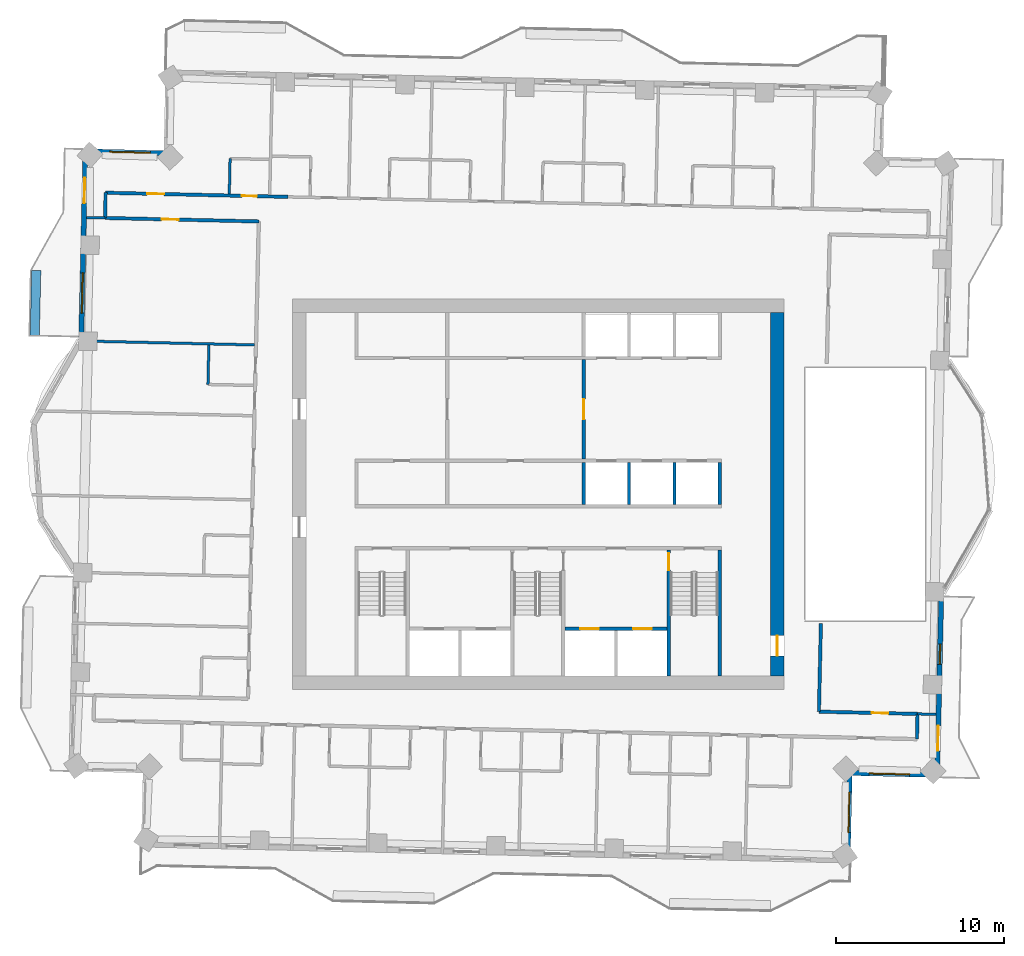
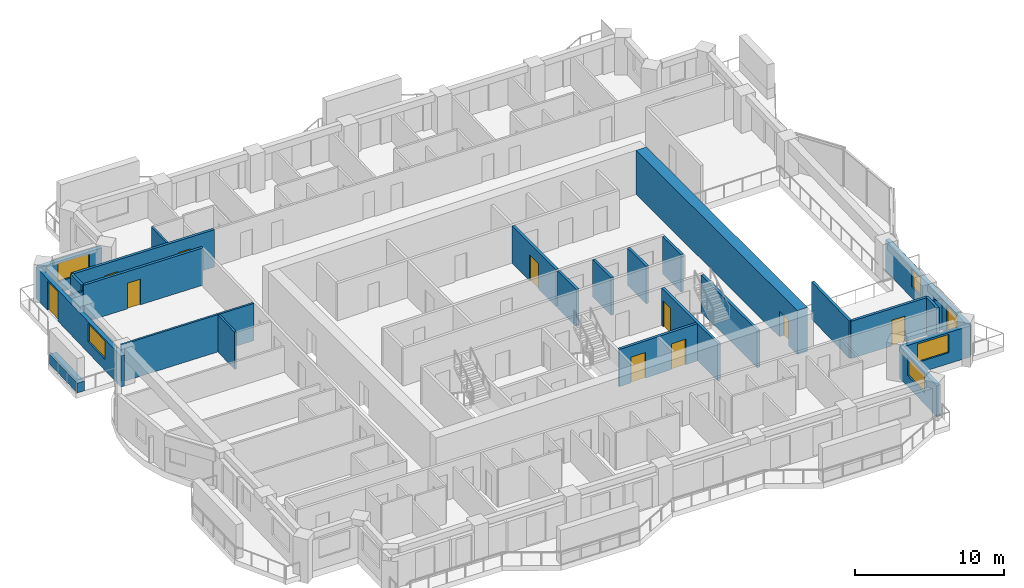
# One storey, part 9 of 16: 26 walls, 11 doors, 5 windows, 16 openings.
"""IFC4 building model written with IfcOpenShell, lengths in metres."""

import ifcopenshell
import ifcopenshell.guid

model = None  # the IFC model being written
_history = None  # IfcOwnerHistory: only IFC2X3 demands one
_inside = {}  # id of a spatial element -> (the spatial element, [elements in it])
_under = {}  # id of a project, library or spatial element -> (it, [spatial elements below it])
_declared = {}  # id of a project -> (the project, [libraries it declares])
_typed = {}  # id of a type object -> (the type object, [elements of that type])
_made_of = {}  # id of a material, layer set ... -> (it, [elements and type objects made of it])


def new_model(schema):
    """Start an empty IFC model of exactly this schema.

    Asked for "IFC4X3", IfcOpenShell would pick the latest addendum, in which some entities
    have other attributes; the version numbers below select the first issue.
    IFC2X3 requires an IfcOwnerHistory on every rooted entity: one is made here for all.
    """
    global model, _history
    if schema == "IFC4X3":
        model = ifcopenshell.file(schema_version=(4, 3, 0, 0))
    else:
        model = ifcopenshell.file(schema=schema)
    _inside.clear()
    _under.clear()
    _declared.clear()
    _typed.clear()
    _made_of.clear()
    _history = None
    if model.schema == "IFC2X3":
        org = make("IfcOrganization", Name="unknown")
        user = make(
            "IfcPersonAndOrganization",
            ThePerson=make("IfcPerson", FamilyName="unknown"),
            TheOrganization=org,
        )
        app = make(
            "IfcApplication",
            ApplicationDeveloper=org,
            Version="unknown",
            ApplicationFullName="unknown",
            ApplicationIdentifier="unknown",
        )
        _history = make(
            "IfcOwnerHistory",
            OwningUser=user,
            OwningApplication=app,
            ChangeAction="ADDED",
            CreationDate=0,
        )
    return model


def make(cls, **values):
    """One entity of the class cls with the attributes given. An attribute that is None is left unset."""
    return model.create_entity(
        cls, **{name: value for name, value in values.items() if value is not None}
    )


def rooted(cls, **values):
    """An entity with a GlobalId (a new one), such as an element, a storey or a relation."""
    return make(cls, GlobalId=ifcopenshell.guid.new(), OwnerHistory=_history, **values)


def si_unit(unit_type, name, prefix=None):
    """IfcSIUnit, for example si_unit("LENGTHUNIT", "METRE", prefix="MILLI")."""
    return make("IfcSIUnit", UnitType=unit_type, Prefix=prefix, Name=name)


def assignment(units):
    """IfcUnitAssignment: the units of a project."""
    return None if units is None else make("IfcUnitAssignment", Units=units)


def point(xyz):
    """IfcCartesianPoint."""
    return None if xyz is None else make("IfcCartesianPoint", Coordinates=xyz)


def direction(xyz):
    """IfcDirection."""
    return None if xyz is None else make("IfcDirection", DirectionRatios=xyz)


def frame(location, z_axis=None, x_axis=None):
    """IfcAxis2Placement3D, a coordinate frame: its origin and axes. An axis left out is left unset."""
    return make(
        "IfcAxis2Placement3D",
        Location=point(location),
        Axis=direction(z_axis),
        RefDirection=direction(x_axis),
    )


def frame_2d(location, x_axis=None):
    """IfcAxis2Placement2D, a coordinate frame in the plane: its origin and x axis."""
    return make(
        "IfcAxis2Placement2D", Location=point(location), RefDirection=direction(x_axis)
    )


def origin():
    """The frame at (0, 0, 0) with its axes left unset."""
    return frame((0.0, 0.0, 0.0))


def place(relative_to, where):
    """IfcLocalPlacement: puts the frame where relative to a parent placement (None: the world)."""
    return make(
        "IfcLocalPlacement", PlacementRelTo=relative_to, RelativePlacement=where
    )


def context(
    kind, dimensions, precision=None, world=None, true_north=None, identifier=None
):
    """IfcGeometricRepresentationContext, for example the 3D "Model" context."""
    return make(
        "IfcGeometricRepresentationContext",
        ContextIdentifier=identifier,
        ContextType=kind,
        CoordinateSpaceDimension=dimensions,
        Precision=precision,
        WorldCoordinateSystem=world,
        TrueNorth=true_north,
    )


def subcontext(parent, identifier, kind, view, scale=None):
    """IfcGeometricRepresentationSubContext, for example "Body" below "Model"."""
    return make(
        "IfcGeometricRepresentationSubContext",
        ContextIdentifier=identifier,
        ContextType=kind,
        ParentContext=parent,
        TargetScale=scale,
        TargetView=view,
    )


def project(units=None, contexts=None):
    """IfcProject with its units and contexts."""
    return rooted(
        "IfcProject",
        Name="project",
        RepresentationContexts=contexts,
        UnitsInContext=assignment(units),
    )


def spatial(cls, under=None, at=None, **own):
    """A site, building, storey or space (cls), placed at a placement, below another one or the project."""
    s = rooted(cls, ObjectPlacement=at, **own)
    if under is not None:
        _under.setdefault(under.id(), (under, []))[1].append(s)
    return s


def profile(cls, at=None, kind="AREA", **sizes):
    """A parametric profile (cls). Its sizes go by their IFC names, for example OverallWidth=200.0."""
    return make(cls, ProfileType=kind, Position=at, **sizes)


def rectangle(**sizes):
    """IfcRectangleProfileDef."""
    return profile("IfcRectangleProfileDef", **sizes)


def extrude(swept, where, along, depth):
    """IfcExtrudedAreaSolid: the profile swept, set in the frame where, extruded along a direction by depth."""
    return make(
        "IfcExtrudedAreaSolid",
        SweptArea=swept,
        Position=where,
        ExtrudedDirection=direction(along),
        Depth=depth,
    )


def shape(context_of_items, identifier, shape_type, items):
    """IfcShapeRepresentation: the items that make up one representation, for example the "Body"."""
    return make(
        "IfcShapeRepresentation",
        ContextOfItems=context_of_items,
        RepresentationIdentifier=identifier,
        RepresentationType=shape_type,
        Items=items,
    )


def material(Name=None, Category=None):
    """IfcMaterial."""
    return make("IfcMaterial", Name=Name, Category=Category)


def layer(
    of_material, thickness, ventilated=None, Name=None, Category=None, Priority=None
):
    """IfcMaterialLayer: one layer of a wall or slab, of a material (None: an air gap)."""
    return make(
        "IfcMaterialLayer",
        Material=of_material,
        LayerThickness=thickness,
        IsVentilated=ventilated,
        Name=Name,
        Category=Category,
        Priority=Priority,
    )


def layer_set(layers, Name=None):
    """IfcMaterialLayerSet."""
    return make("IfcMaterialLayerSet", MaterialLayers=layers, LayerSetName=Name)


def made_of(thing, what):
    """Note that an element or type object is made of a material, layer set ...; save() writes the relation."""
    if what is not None:
        _made_of.setdefault(what.id(), (what, []))[1].append(thing)
    return thing


def type_object(cls, material=None, **own):
    """A type object (cls), such as IfcWallType, which elements share."""
    return made_of(rooted(cls, **own), material)


def element(
    cls,
    number,
    at=None,
    inside=None,
    cuts=None,
    type_object=None,
    material=None,
    context=None,
    identifier="Body",
    shape_type=None,
    held_by="IfcProductDefinitionShape",
    body=None,
    shapes=None,
    **own,
):
    """One element of the class cls, such as IfcWall. Its Tag is "e" and its number.

    at: its placement. inside: the storey or other place that contains it. cuts: it is an
    opening in that element (IfcRelVoidsElement). A single representation is given by context,
    identifier, shape_type and body (its items); several are given by shapes. held_by: the class
    of the entity that holds the representations. save() writes the other relations.
    """
    e = rooted(cls, Tag="e%d" % number, ObjectPlacement=at, **own)
    if body is not None:
        shapes = [shape(context, identifier, shape_type, body)]
    if shapes is not None:
        e.Representation = make(held_by, Representations=shapes)
    if inside is not None:
        _inside.setdefault(inside.id(), (inside, []))[1].append(e)
    if cuts is not None:
        rooted(
            "IfcRelVoidsElement", RelatingBuildingElement=cuts, RelatedOpeningElement=e
        )
    if type_object is not None:
        _typed.setdefault(type_object.id(), (type_object, []))[1].append(e)
    return made_of(e, material)


def fill(opening, filler):
    """IfcRelFillsElement: the door or window that sits in an opening."""
    return rooted(
        "IfcRelFillsElement",
        RelatingOpeningElement=opening,
        RelatedBuildingElement=filler,
    )


def aggregate(whole, parts):
    """IfcRelAggregates: a whole, such as a stair, and the parts it consists of."""
    return rooted("IfcRelAggregates", RelatingObject=whole, RelatedObjects=parts)


def save(model, path):
    """Write the relations noted so far, then the file.

    IfcRelAggregates (storeys below a building ...), IfcRelContainedInSpatialStructure (elements
    in a storey), IfcRelDefinesByType, IfcRelAssociatesMaterial and IfcRelDeclares: one each for
    every whole, place, type object, material and project.
    """
    for whole, parts in _under.values():
        aggregate(whole, parts)
    for where, things in _inside.values():
        rooted(
            "IfcRelContainedInSpatialStructure",
            RelatedElements=things,
            RelatingStructure=where,
        )
    for kind, things in _typed.values():
        rooted("IfcRelDefinesByType", RelatedObjects=things, RelatingType=kind)
    for what, things in _made_of.values():
        rooted("IfcRelAssociatesMaterial", RelatedObjects=things, RelatingMaterial=what)
    for by, libraries in _declared.values():
        rooted("IfcRelDeclares", RelatingContext=by, RelatedDefinitions=libraries)
    model.write(path)


model = new_model("IFC4")

# Units and contexts
model_context = context("Model", 3, precision=1e-05, world=origin(), true_north=direction((0.0, 1.0)))
body_context = subcontext(model_context, "Body", "Model", "MODEL_VIEW")
ifc_project = project(units=[si_unit("LENGTHUNIT", "METRE"), si_unit("AREAUNIT", "SQUARE_METRE"), si_unit("VOLUMEUNIT", "CUBIC_METRE"), si_unit("PLANEANGLEUNIT", "RADIAN"), si_unit("MASSUNIT", "GRAM", prefix="KILO")], contexts=[model_context])

# Site, building, storey
site_placement = place(None, origin())
site = spatial("IfcSite", under=ifc_project, at=site_placement, CompositionType="ELEMENT")
building_placement = place(site_placement, origin())
building = spatial("IfcBuilding", under=site, at=building_placement, Name="Mangrove Gate Tower", CompositionType="ELEMENT")
storey_placement = place(building_placement, frame((0.0, 0.0, 212.300048828125)))
storey = spatial("IfcBuildingStorey", under=building, at=storey_placement, Name="L54", CompositionType="ELEMENT", Elevation=212.300048828125)

# Wall, opening, door
ifc_material_1 = material(Name="Concrete C32/40", Category="concrete")
ifc_layer_1 = layer(ifc_material_1, 0.199951171875)
ifc_layer_set_1 = layer_set([ifc_layer_1], Name="Core lobby wall 200 C32/40")
wall_type_1 = type_object("IfcWallType", Name="Core lobby wall 200 C32/40", PredefinedType="STANDARD", material=ifc_layer_set_1)
wall_1_placement = place(storey_placement, frame((2.699951171875, 2.10009765625, 0.0), z_axis=(0.0, 0.0, 1.0), x_axis=(0.0, 1.0, 0.0)))
wall_1 = element("IfcWall", 1, at=wall_1_placement, inside=storey, type_object=wall_type_1, Name="WALL-L54-CORE-32", PredefinedType="STANDARD", context=body_context, shape_type="SweptSolid", body=[
    extrude(rectangle(XDim=5.89990234375, YDim=0.199951171875, at=frame_2d((2.949951171875, 0.0))), origin(), (0.0, 0.0, 1.0), 3.050048828125),
])
opening_1_placement = place(wall_1_placement, frame((2.35009765625, 0.0, 0.0)))
opening_1 = element("IfcOpeningElement", 2, at=opening_1_placement, cuts=wall_1, Name="Opening FL12", PredefinedType="OPENING", context=body_context, shape_type="SweptSolid", body=[
    extrude(rectangle(XDim=1.199951171875, YDim=2.10009765625, at=frame_2d((0.60009765625, 1.050048828125))), frame((0.0, 0.10986328125, 0.0), z_axis=(0.0, -1.0, 0.0), x_axis=(1.0, 0.0, 0.0)), (0.0, 0.0, 1.0), 0.219970703125),
])
ifc_material_2 = material(Name="Fire-rated steel door set", Category="steel")
door_type_1 = type_object("IfcDoorType", Name="Lobby door FD60 1200x2100", OperationType="SINGLE_SWING_LEFT", PredefinedType="DOOR", material=ifc_material_2)
door_1_placement = place(opening_1_placement, origin())
door_1 = element("IfcDoor", 3, at=door_1_placement, inside=storey, type_object=door_type_1, Name="Lobby door lift lobby partition", OperationType="SINGLE_SWING_LEFT", OverallHeight=2.10009765625, OverallWidth=1.199951171875, PredefinedType="DOOR", context=body_context, shape_type="SweptSolid", body=[
    extrude(rectangle(XDim=1.199951171875, YDim=2.10009765625, at=frame_2d((0.60009765625, 1.050048828125))), frame((0.0, 0.02490234375, 0.0), z_axis=(0.0, -1.0, 0.0), x_axis=(1.0, 0.0, 0.0)), (0.0, 0.0, 1.0), 0.050048828125),
])
fill(opening_1, door_1)

# Wall, openings, doors
ifc_material_3 = material(Name="Concrete C60/75", Category="concrete")
ifc_layer_2 = layer(ifc_material_3, 0.199951171875)
ifc_layer_set_2 = layer_set([ifc_layer_2], Name="Core shaft wall 200 C60/75")
wall_type_2 = type_object("IfcWallType", Name="Core shaft wall 200 C60/75", PredefinedType="SHEAR", material=ifc_layer_set_2)
wall_2_placement = place(storey_placement, frame((1.60009765625, -8.0, 0.0), z_axis=(0.0, 0.0, 1.0), x_axis=(1.0, 0.0, 0.0)))
wall_2 = element("IfcWall", 4, at=wall_2_placement, inside=storey, type_object=wall_type_2, Name="WALL-L54-CORE-17", PredefinedType="SHEAR", context=body_context, shape_type="SweptSolid", body=[
    extrude(rectangle(XDim=6.0498046875, YDim=0.199951171875, at=frame_2d((3.02490234375, 0.0))), origin(), (0.0, 0.0, 1.0), 3.050048828125),
])
opening_2_placement = place(wall_2_placement, frame((0.91259765625, 0.0, 0.0)))
opening_2 = element("IfcOpeningElement", 5, at=opening_2_placement, cuts=wall_2, Name="Opening LD", PredefinedType="OPENING", context=body_context, shape_type="SweptSolid", body=[
    extrude(rectangle(XDim=1.10009765625, YDim=2.10009765625, at=frame_2d((0.550048828125, 1.050048828125))), frame((0.0, 0.10986328125, 0.0), z_axis=(0.0, -1.0, 0.0), x_axis=(1.0, 0.0, 0.0)), (0.0, 0.0, 1.0), 0.219970703125),
])
opening_3_placement = place(wall_2_placement, frame((4.03759765625, 0.0, 0.0)))
opening_3 = element("IfcOpeningElement", 6, at=opening_3_placement, cuts=wall_2, Name="Opening LD", PredefinedType="OPENING", context=body_context, shape_type="SweptSolid", body=[
    extrude(rectangle(XDim=1.10009765625, YDim=2.10009765625, at=frame_2d((0.550048828125, 1.050048828125))), frame((0.0, 0.10986328125, 0.0), z_axis=(0.0, -1.0, 0.0), x_axis=(1.0, 0.0, 0.0)), (0.0, 0.0, 1.0), 0.219970703125),
])
ifc_material_4 = material(Name="Stainless steel 316", Category="steel")
door_type_2 = type_object("IfcDoorType", Name="Lift landing door 1100x2100", OperationType="SLIDING_TO_LEFT", PredefinedType="DOOR", material=ifc_material_4)
door_2_placement = place(opening_2_placement, origin())
door_2 = element("IfcDoor", 7, at=door_2_placement, inside=storey, type_object=door_type_2, Name="Landing door LD FFL1", OperationType="SLIDING_TO_LEFT", OverallHeight=2.10009765625, OverallWidth=1.10009765625, PredefinedType="DOOR", context=body_context, shape_type="SweptSolid", body=[
    extrude(rectangle(XDim=1.10009765625, YDim=2.10009765625, at=frame_2d((0.550048828125, 1.050048828125))), frame((0.0, 0.02490234375, 0.0), z_axis=(0.0, -1.0, 0.0), x_axis=(1.0, 0.0, 0.0)), (0.0, 0.0, 1.0), 0.050048828125),
])
fill(opening_2, door_2)
door_3_placement = place(opening_3_placement, origin())
door_3 = element("IfcDoor", 8, at=door_3_placement, inside=storey, type_object=door_type_2, Name="Landing door LD FFL2", OperationType="SLIDING_TO_LEFT", OverallHeight=2.10009765625, OverallWidth=1.10009765625, PredefinedType="DOOR", context=body_context, shape_type="SweptSolid", body=[
    extrude(rectangle(XDim=1.10009765625, YDim=2.10009765625, at=frame_2d((0.550048828125, 1.050048828125))), frame((0.0, 0.02490234375, 0.0), z_axis=(0.0, -1.0, 0.0), x_axis=(1.0, 0.0, 0.0)), (0.0, 0.0, 1.0), 0.050048828125),
])
fill(opening_3, door_3)

# Walls
for number, where, z_axis, x_axis, name in (
    (9, (2.699951171875, -0.60009765625, 0.0), (0.0, 0.0, 1.0), (0.0, 1.0, 0.0), "WALL-L54-CORE-21"),
    (10, (5.39990234375, -0.60009765625, 0.0), (0.0, 0.0, 1.0), (0.0, 1.0, 0.0), "WALL-L54-CORE-22"),
    (11, (8.10009765625, -0.60009765625, 0.0), (0.0, 0.0, 1.0), (0.0, 1.0, 0.0), "WALL-L54-CORE-23"),
    (12, (10.800048828125, -0.60009765625, 0.0), (0.0, 0.0, 1.0), (0.0, 1.0, 0.0), "WALL-L54-CORE-24"),
):
    element("IfcWall", number, at=place(storey_placement, frame(where, z_axis=z_axis, x_axis=x_axis)), inside=storey, type_object=wall_type_2, Name=name, PredefinedType="SHEAR", context=body_context, shape_type="SweptSolid", body=[
        extrude(rectangle(XDim=2.5, YDim=0.199951171875, at=frame_2d((1.25, 0.0))), origin(), (0.0, 0.0, 1.0), 3.050048828125),
    ])

# Wall, opening, door
ifc_material_5 = material(Name="Concrete C60/75", Category="concrete")
ifc_layer_3 = layer(ifc_material_5, 0.199951171875)
ifc_layer_set_3 = layer_set([ifc_layer_3], Name="Core stair wall 200 C60/75")
wall_type_3 = type_object("IfcWallType", Name="Core stair wall 200 C60/75", PredefinedType="SHEAR", material=ifc_layer_set_3)
wall_3_placement = place(storey_placement, frame((7.75, -10.800048828125, 0.0), z_axis=(0.0, 0.0, 1.0), x_axis=(0.0, 1.0, 0.0)))
wall_3 = element("IfcWall", 13, at=wall_3_placement, inside=storey, type_object=wall_type_3, Name="WALL-L54-CORE-13", PredefinedType="SHEAR", context=body_context, shape_type="SweptSolid", body=[
    extrude(rectangle(XDim=7.5, YDim=0.199951171875, at=frame_2d((3.75, 0.0))), origin(), (0.0, 0.0, 1.0), 3.050048828125),
])
opening_4_placement = place(wall_3_placement, frame((6.300048828125, 0.0, 0.0)))
opening_4 = element("IfcOpeningElement", 14, at=opening_4_placement, cuts=wall_3, Name="Opening STD10", PredefinedType="OPENING", context=body_context, shape_type="SweptSolid", body=[
    extrude(rectangle(XDim=1.0, YDim=2.10009765625, at=frame_2d((0.5, 1.050048828125))), frame((0.0, 0.10986328125, 0.0), z_axis=(0.0, -1.0, 0.0), x_axis=(1.0, 0.0, 0.0)), (0.0, 0.0, 1.0), 0.219970703125),
])
ifc_material_6 = material(Name="Fire-rated steel door set", Category="steel")
door_type_3 = type_object("IfcDoorType", Name="Stair door FD60 1000x2100", OperationType="SINGLE_SWING_RIGHT", PredefinedType="DOOR", material=ifc_material_6)
door_4_placement = place(opening_4_placement, origin())
door_4 = element("IfcDoor", 15, at=door_4_placement, inside=storey, type_object=door_type_3, Name="Stair door Stair 3 from fire-fighting lobby", OperationType="SINGLE_SWING_RIGHT", OverallHeight=2.10009765625, OverallWidth=1.0, PredefinedType="DOOR", context=body_context, shape_type="SweptSolid", body=[
    extrude(rectangle(XDim=1.0, YDim=2.10009765625, at=frame_2d((0.5, 1.050048828125))), frame((0.0, 0.02490234375, 0.0), z_axis=(0.0, -1.0, 0.0), x_axis=(1.0, 0.0, 0.0)), (0.0, 0.0, 1.0), 0.050048828125),
])
fill(opening_4, door_4)

# Wall
wall_4_placement = place(storey_placement, frame((10.800048828125, -10.800048828125, 0.0), z_axis=(0.0, 0.0, 1.0), x_axis=(0.0, 1.0, 0.0)))
element("IfcWall", 16, at=wall_4_placement, inside=storey, type_object=wall_type_3, Name="WALL-L54-CORE-14", PredefinedType="SHEAR", context=body_context, shape_type="SweptSolid", body=[
    extrude(rectangle(XDim=7.5, YDim=0.199951171875, at=frame_2d((3.75, 0.0))), origin(), (0.0, 0.0, 1.0), 3.050048828125),
])

# Wall, opening, door
ifc_material_7 = material(Name="Concrete C60/75", Category="concrete")
ifc_layer_4 = layer(ifc_material_7, 0.800048828125)
ifc_layer_set_4 = layer_set([ifc_layer_4], Name="Core wall 800 C60/75")
wall_type_4 = type_object("IfcWallType", Name="Core wall 800 C60/75", PredefinedType="SHEAR", material=ifc_layer_set_4)
wall_5_placement = place(storey_placement, frame((14.199951171875, -10.800048828125, 0.0), z_axis=(0.0, 0.0, 1.0), x_axis=(0.0, 1.0, 0.0)))
wall_5 = element("IfcWall", 17, at=wall_5_placement, inside=storey, type_object=wall_type_4, Name="WALL-L54-CORE-4", PredefinedType="SHEAR", context=body_context, shape_type="SweptSolid", body=[
    extrude(rectangle(XDim=21.60009765625, YDim=0.800048828125, at=frame_2d((10.800048828125, 0.0))), origin(), (0.0, 0.0, 1.0), 3.599853515625),
])
opening_5_placement = place(wall_5_placement, frame((1.199951171875, 0.0, 0.0)))
opening_5 = element("IfcOpeningElement", 18, at=opening_5_placement, cuts=wall_5, Name="Opening CD", PredefinedType="OPENING", context=body_context, shape_type="SweptSolid", body=[
    extrude(rectangle(XDim=1.199951171875, YDim=2.10009765625, at=frame_2d((0.60009765625, 1.050048828125))), frame((0.0, 0.409912109375, 0.0), z_axis=(0.0, -1.0, 0.0), x_axis=(1.0, 0.0, 0.0)), (0.0, 0.0, 1.0), 0.820068359375),
])
ifc_material_8 = material(Name="Fire-rated steel door set", Category="steel")
door_type_4 = type_object("IfcDoorType", Name="Core ring door FD60 1200x2100", OperationType="DOUBLE_DOOR_SINGLE_SWING", PredefinedType="DOOR", material=ifc_material_8)
door_5_placement = place(opening_5_placement, origin())
door_5 = element("IfcDoor", 19, at=door_5_placement, inside=storey, type_object=door_type_4, Name="Core ring door E1", OperationType="DOUBLE_DOOR_SINGLE_SWING", OverallHeight=2.10009765625, OverallWidth=1.199951171875, PredefinedType="DOOR", context=body_context, shape_type="SweptSolid", body=[
    extrude(rectangle(XDim=1.199951171875, YDim=2.10009765625, at=frame_2d((0.60009765625, 1.050048828125))), frame((0.0, 0.02490234375, 0.0), z_axis=(0.0, -1.0, 0.0), x_axis=(1.0, 0.0, 0.0)), (0.0, 0.0, 1.0), 0.050048828125),
])
fill(opening_5, door_5)

# Wall
ifc_material_9 = material(Name="Gypsum board on steel stud, EI 60", Category="steel")
ifc_layer_5 = layer(ifc_material_9, 0.199951171875)
ifc_layer_set_5 = layer_set([ifc_layer_5], Name="Corridor wall EI 60")
wall_type_5 = type_object("IfcWallType", Name="Corridor wall EI 60", PredefinedType="PARTITIONING", material=ifc_layer_set_5)
wall_6_placement = place(storey_placement, frame((22.509033203125, -14.551025390625, 0.0), z_axis=(0.0, 0.0, 1.0), x_axis=(0.022632637625, 0.99974384905, 0.0)))
element("IfcWall", 20, at=wall_6_placement, inside=storey, type_object=wall_type_5, Name="WALL-L54-026", PredefinedType="PARTITIONING", context=body_context, shape_type="SweptSolid", body=[
    extrude(rectangle(XDim=1.49951171875, YDim=0.199951171875, at=frame_2d((0.749755859375, 0.0))), origin(), (0.0, 0.0, 1.0), 3.050048828125),
])

# Wall, opening, door
wall_7_placement = place(storey_placement, frame((16.678955078125, -12.91796875, 0.0), z_axis=(0.0, 0.0, 1.0), x_axis=(0.999739057042, -0.022843332181, 0.0)))
wall_7 = element("IfcWall", 21, at=wall_7_placement, inside=storey, type_object=wall_type_5, Name="WALL-L54-031", PredefinedType="PARTITIONING", context=body_context, shape_type="SweptSolid", body=[
    extrude(rectangle(XDim=5.867431640625, YDim=0.199951171875, at=frame_2d((2.93359375, 0.0))), origin(), (0.0, 0.0, 1.0), 3.050048828125),
])
opening_6_placement = place(wall_7_placement, frame((3.134033203125, 0.0, 0.0)))
opening_6 = element("IfcOpeningElement", 22, at=opening_6_placement, cuts=wall_7, Name="Opening AD", PredefinedType="OPENING", context=body_context, shape_type="SweptSolid", body=[
    extrude(rectangle(XDim=1.0, YDim=2.10009765625, at=frame_2d((0.5, 1.050048828125))), frame((0.0, 0.10986328125, 0.0), z_axis=(0.0, -1.0, 0.0), x_axis=(1.0, 0.0, 0.0)), (0.0, 0.0, 1.0), 0.219970703125),
])
ifc_material_10 = material(Name="Timber door leaf", Category="wood")
door_type_5 = type_object("IfcDoorType", Name="Amenity door 1000", OperationType="SINGLE_SWING_LEFT", PredefinedType="DOOR", material=ifc_material_10)
door_6_placement = place(opening_6_placement, origin())
door_6 = element("IfcDoor", 23, at=door_6_placement, inside=storey, type_object=door_type_5, Name="DOOR-L54-LNG-c3a", OperationType="SINGLE_SWING_LEFT", OverallHeight=2.10009765625, OverallWidth=1.0, PredefinedType="DOOR", context=body_context, shape_type="SweptSolid", body=[
    extrude(rectangle(XDim=1.0, YDim=2.10009765625, at=frame_2d((0.5, 1.050048828125))), frame((0.0, 0.02490234375, 0.0), z_axis=(0.0, -1.0, 0.0), x_axis=(1.0, 0.0, 0.0)), (0.0, 0.0, 1.0), 0.050048828125),
])
fill(opening_6, door_6)

# Wall
wall_8_placement = place(storey_placement, frame((16.68408203125, -12.9189453125, 0.0), z_axis=(0.0, 0.0, 1.0), x_axis=(0.022667483124, 0.999743059595, 0.0)))
element("IfcWall", 24, at=wall_8_placement, inside=storey, type_object=wall_type_5, Name="WALL-L54-032", PredefinedType="PARTITIONING", context=body_context, shape_type="SweptSolid", body=[
    extrude(rectangle(XDim=5.245361328125, YDim=0.199951171875, at=frame_2d((2.62255859375, 0.0))), origin(), (0.0, 0.0, 1.0), 3.050048828125),
])

# Wall, opening, door
wall_9_placement = place(storey_placement, frame((-25.742919921875, 16.422119140625, 0.0), z_axis=(0.0, 0.0, 1.0), x_axis=(0.999741076645, -0.022754772455, 0.0)))
wall_9 = element("IfcWall", 25, at=wall_9_placement, inside=storey, type_object=wall_type_5, Name="WALL-L54-046", PredefinedType="PARTITIONING", context=body_context, shape_type="SweptSolid", body=[
    extrude(rectangle(XDim=9.141357421875, YDim=0.199951171875, at=frame_2d((4.57080078125, 0.0))), origin(), (0.0, 0.0, 1.0), 3.050048828125),
])
opening_7_placement = place(wall_9_placement, frame((3.37109375, 0.0, 0.0)))
opening_7 = element("IfcOpeningElement", 26, at=opening_7_placement, cuts=wall_9, Name="Opening AD", PredefinedType="OPENING", context=body_context, shape_type="SweptSolid", body=[
    extrude(rectangle(XDim=1.0, YDim=2.10009765625, at=frame_2d((0.5, 1.050048828125))), frame((0.0, 0.10986328125, 0.0), z_axis=(0.0, -1.0, 0.0), x_axis=(1.0, 0.0, 0.0)), (0.0, 0.0, 1.0), 0.219970703125),
])
door_7_placement = place(opening_7_placement, origin())
door_7 = element("IfcDoor", 27, at=door_7_placement, inside=storey, type_object=door_type_5, Name="DOOR-L54-LNG-c5b", OperationType="SINGLE_SWING_LEFT", OverallHeight=2.10009765625, OverallWidth=1.0, PredefinedType="DOOR", context=body_context, shape_type="SweptSolid", body=[
    extrude(rectangle(XDim=1.0, YDim=2.10009765625, at=frame_2d((0.5, 1.050048828125))), frame((0.0, 0.02490234375, 0.0), z_axis=(0.0, -1.0, 0.0), x_axis=(1.0, 0.0, 0.0)), (0.0, 0.0, 1.0), 0.050048828125),
])
fill(opening_7, door_7)

# Wall
wall_10_placement = place(storey_placement, frame((-25.740966796875, 16.425048828125, 0.0), z_axis=(0.0, 0.0, 1.0), x_axis=(0.022617910375, 0.999744182344, 0.0)))
element("IfcWall", 28, at=wall_10_placement, inside=storey, type_object=wall_type_5, Name="WALL-L54-049", PredefinedType="PARTITIONING", context=body_context, shape_type="SweptSolid", body=[
    extrude(rectangle(XDim=1.50048828125, YDim=0.199951171875, at=frame_2d((0.750244140625, 0.0))), origin(), (0.0, 0.0, 1.0), 3.050048828125),
])

# Wall, openings, doors
wall_11_placement = place(storey_placement, frame((-25.708984375, 17.9208984375, 0.0), z_axis=(0.0, 0.0, 1.0), x_axis=(0.999742764922, -0.022680475901, 0.0)))
wall_11 = element("IfcWall", 29, at=wall_11_placement, inside=storey, type_object=wall_type_5, Name="WALL-L54-051", PredefinedType="PARTITIONING", context=body_context, shape_type="SweptSolid", body=[
    extrude(rectangle(XDim=10.839599609375, YDim=0.199951171875, at=frame_2d((5.419921875, 0.0))), origin(), (0.0, 0.0, 1.0), 3.050048828125),
])
opening_8_placement = place(wall_11_placement, frame((2.47509765625, 0.0, 0.0)))
opening_8 = element("IfcOpeningElement", 30, at=opening_8_placement, cuts=wall_11, Name="Opening AD", PredefinedType="OPENING", context=body_context, shape_type="SweptSolid", body=[
    extrude(rectangle(XDim=1.0, YDim=2.10009765625, at=frame_2d((0.5, 1.050048828125))), frame((0.0, 0.10986328125, 0.0), z_axis=(0.0, -1.0, 0.0), x_axis=(1.0, 0.0, 0.0)), (0.0, 0.0, 1.0), 0.219970703125),
])
opening_9_placement = place(wall_11_placement, frame((8.10009765625, 0.0, 0.0)))
opening_9 = element("IfcOpeningElement", 31, at=opening_9_placement, cuts=wall_11, Name="Opening SD", PredefinedType="OPENING", context=body_context, shape_type="SweptSolid", body=[
    extrude(rectangle(XDim=0.89990234375, YDim=2.10009765625, at=frame_2d((0.449951171875, 1.050048828125))), frame((0.0, 0.10986328125, 0.0), z_axis=(0.0, -1.0, 0.0), x_axis=(1.0, 0.0, 0.0)), (0.0, 0.0, 1.0), 0.219970703125),
])
door_8_placement = place(opening_8_placement, origin())
door_8 = element("IfcDoor", 32, at=door_8_placement, inside=storey, type_object=door_type_5, Name="DOOR-L54-LNG-c5a", OperationType="SINGLE_SWING_RIGHT", OverallHeight=2.10009765625, OverallWidth=1.0, PredefinedType="DOOR", context=body_context, shape_type="SweptSolid", body=[
    extrude(rectangle(XDim=1.0, YDim=2.10009765625, at=frame_2d((0.5, 1.050048828125))), frame((0.0, 0.02490234375, 0.0), z_axis=(0.0, -1.0, 0.0), x_axis=(1.0, 0.0, 0.0)), (0.0, 0.0, 1.0), 0.050048828125),
])
fill(opening_8, door_8)
ifc_material_11 = material(Name="Timber door leaf", Category="wood")
door_type_6 = type_object("IfcDoorType", Name="Service room door 900", OperationType="SINGLE_SWING_LEFT", PredefinedType="DOOR", material=ifc_material_11)
door_9_placement = place(opening_9_placement, origin())
door_9 = element("IfcDoor", 33, at=door_9_placement, inside=storey, type_object=door_type_6, Name="DOOR-L54-LIN-c5a", OperationType="SINGLE_SWING_LEFT", OverallHeight=2.10009765625, OverallWidth=0.89990234375, PredefinedType="DOOR", context=body_context, shape_type="SweptSolid", body=[
    extrude(rectangle(XDim=0.89990234375, YDim=2.10009765625, at=frame_2d((0.449951171875, 1.050048828125))), frame((0.0, 0.02490234375, 0.0), z_axis=(0.0, -1.0, 0.0), x_axis=(1.0, 0.0, 0.0)), (0.0, 0.0, 1.0), 0.050048828125),
])
fill(opening_9, door_9)

# Wall, openings, door, window
ifc_material_12 = material(Name="Limestone", Category="masonry")
ifc_layer_6 = layer(ifc_material_12, 0.0400390625, Name="Limestone cladding")
ifc_material_13 = material(Name="Ventilated air gap")
ifc_layer_7 = layer(ifc_material_13, 0.0400390625, Name="Ventilated cavity")
ifc_material_14 = material(Name="Mineral wool insulation")
ifc_layer_8 = layer(ifc_material_14, 0.06005859375, Name="Insulation")
ifc_material_15 = material(Name="Breather membrane")
ifc_layer_9 = layer(ifc_material_15, 0.001953125, Name="Breather membrane")
ifc_material_16 = material(Name="Concrete C20/25 blockwork", Category="masonry")
ifc_layer_10 = layer(ifc_material_16, 0.14990234375, Name="Blockwork backing wall")
ifc_material_17 = material(Name="Gypsum plaster")
ifc_layer_11 = layer(ifc_material_17, 0.008056640625, Name="Internal plaster")
ifc_layer_set_6 = layer_set([ifc_layer_6, ifc_layer_7, ifc_layer_8, ifc_layer_9, ifc_layer_10, ifc_layer_11], Name="External wall 300 limestone cladding")
wall_type_6 = type_object("IfcWallType", Name="External wall 300 limestone cladding", PredefinedType="SOLIDWALL", material=ifc_layer_set_6)
wall_12_placement = place(storey_placement, frame((23.712890625, -16.678955078125, 0.0), z_axis=(0.0, 0.0, 1.0), x_axis=(0.022674801414, 0.999742893639, 0.0)))
wall_12 = element("IfcWall", 34, at=wall_12_placement, inside=storey, type_object=wall_type_6, Name="WALL-L54-E0s1", PredefinedType="SOLIDWALL", context=body_context, shape_type="SweptSolid", body=[
    extrude(rectangle(XDim=11.423828125, YDim=0.300048828125, at=frame_2d((5.7119140625, 0.0))), origin(), (0.0, 0.0, 1.0), 2.550048828125),
])
opening_10_placement = place(wall_12_placement, frame((1.427978515625, 0.0, 0.0)))
opening_10 = element("IfcOpeningElement", 35, at=opening_10_placement, cuts=wall_12, Name="Opening BD1", PredefinedType="OPENING", context=body_context, shape_type="SweptSolid", body=[
    extrude(rectangle(XDim=1.5, YDim=2.39990234375, at=frame_2d((0.75, 1.199951171875))), frame((0.0, 0.159912109375, 0.0), z_axis=(0.0, -1.0, 0.0), x_axis=(1.0, 0.0, 0.0)), (0.0, 0.0, 1.0), 0.320068359375),
])
opening_11_placement = place(wall_12_placement, frame((6.576904296875, 0.0, 0.89990234375)))
opening_11 = element("IfcOpeningElement", 36, at=opening_11_placement, cuts=wall_12, Name="Opening W1", PredefinedType="OPENING", context=body_context, shape_type="SweptSolid", body=[
    extrude(rectangle(XDim=1.199951171875, YDim=1.5, at=frame_2d((0.60009765625, 0.75))), frame((0.0, 0.159912109375, 0.0), z_axis=(0.0, -1.0, 0.0), x_axis=(1.0, 0.0, 0.0)), (0.0, 0.0, 1.0), 0.320068359375),
])
ifc_material_18 = material(Name="Aluminium frame with laminated clear glass", Category="aluminium")
door_type_7 = type_object("IfcDoorType", Name="Balcony sliding door 1500x2400", OperationType="SLIDING_TO_LEFT", PredefinedType="DOOR", material=ifc_material_18)
door_10_placement = place(opening_10_placement, origin())
door_10 = element("IfcDoor", 37, at=door_10_placement, inside=storey, type_object=door_type_7, Name="DOOR-L54-E0-1", OperationType="SLIDING_TO_LEFT", OverallHeight=2.39990234375, OverallWidth=1.5, PredefinedType="DOOR", context=body_context, shape_type="SweptSolid", body=[
    extrude(rectangle(XDim=1.5, YDim=2.39990234375, at=frame_2d((0.75, 1.199951171875))), frame((0.0, 0.02490234375, 0.0), z_axis=(0.0, -1.0, 0.0), x_axis=(1.0, 0.0, 0.0)), (0.0, 0.0, 1.0), 0.050048828125),
])
fill(opening_10, door_10)
ifc_material_19 = material(Name="Aluminium frame with double-glazed low-e glass", Category="aluminium")
window_type_1 = type_object("IfcWindowType", Name="Side lite 1200x1500", PartitioningType="SINGLE_PANEL", PredefinedType="WINDOW", material=ifc_material_19)
window_1_placement = place(opening_11_placement, origin())
window_1 = element("IfcWindow", 38, at=window_1_placement, inside=storey, type_object=window_type_1, Name="WIN-L54-E0-2", OverallHeight=1.5, OverallWidth=1.199951171875, PartitioningType="SINGLE_PANEL", PredefinedType="WINDOW", context=body_context, shape_type="SweptSolid", body=[
    extrude(rectangle(XDim=1.199951171875, YDim=1.5, at=frame_2d((0.60009765625, 0.75))), frame((0.0, 0.030029296875, 0.0), z_axis=(0.0, -1.0, 0.0), x_axis=(1.0, 0.0, 0.0)), (0.0, 0.0, 1.0), 0.06005859375),
])
fill(opening_11, window_1)

# Wall, opening, window
wall_13_placement = place(storey_placement, frame((-22.10498046875, 20.27001953125, 0.0), z_axis=(0.0, 0.0, 1.0), x_axis=(-0.999742701292, 0.022683280499, 0.0)))
wall_13 = element("IfcWall", 39, at=wall_13_placement, inside=storey, type_object=wall_type_6, Name="WALL-L54-N7", PredefinedType="SOLIDWALL", context=body_context, shape_type="SweptSolid", body=[
    extrude(rectangle(XDim=4.80029296875, YDim=0.300048828125, at=frame_2d((2.400146484375, 0.0))), origin(), (0.0, 0.0, 1.0), 2.550048828125),
])
opening_12_placement = place(wall_13_placement, frame((0.946044921875, 0.0, 0.89990234375)))
opening_12 = element("IfcOpeningElement", 40, at=opening_12_placement, cuts=wall_13, Name="Opening W2", PredefinedType="OPENING", context=body_context, shape_type="SweptSolid", body=[
    extrude(rectangle(XDim=2.39990234375, YDim=1.5, at=frame_2d((1.199951171875, 0.75))), frame((0.0, 0.159912109375, 0.0), z_axis=(0.0, -1.0, 0.0), x_axis=(1.0, 0.0, 0.0)), (0.0, 0.0, 1.0), 0.320068359375),
])
ifc_material_20 = material(Name="Aluminium frame with double-glazed low-e glass", Category="aluminium")
window_type_2 = type_object("IfcWindowType", Name="Corner room window 2400x1500", PartitioningType="DOUBLE_PANEL_VERTICAL", PredefinedType="WINDOW", material=ifc_material_20)
window_2_placement = place(opening_12_placement, origin())
window_2 = element("IfcWindow", 41, at=window_2_placement, inside=storey, type_object=window_type_2, Name="WIN-L54-N7-1", OverallHeight=1.5, OverallWidth=2.39990234375, PartitioningType="DOUBLE_PANEL_VERTICAL", PredefinedType="WINDOW", context=body_context, shape_type="SweptSolid", body=[
    extrude(rectangle(XDim=2.39990234375, YDim=1.5, at=frame_2d((1.199951171875, 0.75))), frame((0.0, 0.030029296875, 0.0), z_axis=(0.0, -1.0, 0.0), x_axis=(1.0, 0.0, 0.0)), (0.0, 0.0, 1.0), 0.06005859375),
])
fill(opening_12, window_2)

# Wall, openings, door, window
wall_14_placement = place(storey_placement, frame((-26.904052734375, 20.37890625, 0.0), z_axis=(0.0, 0.0, 1.0), x_axis=(-0.022671687694, -0.999742964255, 0.0)))
wall_14 = element("IfcWall", 42, at=wall_14_placement, inside=storey, type_object=wall_type_6, Name="WALL-L54-W8s1", PredefinedType="SOLIDWALL", context=body_context, shape_type="SweptSolid", body=[
    extrude(rectangle(XDim=11.82373046875, YDim=0.300048828125, at=frame_2d((5.911865234375, 0.0))), origin(), (0.0, 0.0, 1.0), 2.550048828125),
])
opening_13_placement = place(wall_14_placement, frame((1.577880859375, 0.0, 0.0)))
opening_13 = element("IfcOpeningElement", 43, at=opening_13_placement, cuts=wall_14, Name="Opening BD1", PredefinedType="OPENING", context=body_context, shape_type="SweptSolid", body=[
    extrude(rectangle(XDim=1.5, YDim=2.39990234375, at=frame_2d((0.75, 1.199951171875))), frame((0.0, 0.159912109375, 0.0), z_axis=(0.0, -1.0, 0.0), x_axis=(1.0, 0.0, 0.0)), (0.0, 0.0, 1.0), 0.320068359375),
])
opening_14_placement = place(wall_14_placement, frame((7.218017578125, 0.0, 0.89990234375)))
opening_14 = element("IfcOpeningElement", 44, at=opening_14_placement, cuts=wall_14, Name="Opening W2", PredefinedType="OPENING", context=body_context, shape_type="SweptSolid", body=[
    extrude(rectangle(XDim=2.39990234375, YDim=1.5, at=frame_2d((1.199951171875, 0.75))), frame((0.0, 0.159912109375, 0.0), z_axis=(0.0, -1.0, 0.0), x_axis=(1.0, 0.0, 0.0)), (0.0, 0.0, 1.0), 0.320068359375),
])
door_11_placement = place(opening_13_placement, origin())
door_11 = element("IfcDoor", 45, at=door_11_placement, inside=storey, type_object=door_type_7, Name="DOOR-L54-W8-1", OperationType="SLIDING_TO_LEFT", OverallHeight=2.39990234375, OverallWidth=1.5, PredefinedType="DOOR", context=body_context, shape_type="SweptSolid", body=[
    extrude(rectangle(XDim=1.5, YDim=2.39990234375, at=frame_2d((0.75, 1.199951171875))), frame((0.0, 0.02490234375, 0.0), z_axis=(0.0, -1.0, 0.0), x_axis=(1.0, 0.0, 0.0)), (0.0, 0.0, 1.0), 0.050048828125),
])
fill(opening_13, door_11)
window_3_placement = place(opening_14_placement, origin())
window_3 = element("IfcWindow", 46, at=window_3_placement, inside=storey, type_object=window_type_2, Name="WIN-L54-W8-2", OverallHeight=1.5, OverallWidth=2.39990234375, PartitioningType="DOUBLE_PANEL_VERTICAL", PredefinedType="WINDOW", context=body_context, shape_type="SweptSolid", body=[
    extrude(rectangle(XDim=2.39990234375, YDim=1.5, at=frame_2d((1.199951171875, 0.75))), frame((0.0, 0.030029296875, 0.0), z_axis=(0.0, -1.0, 0.0), x_axis=(1.0, 0.0, 0.0)), (0.0, 0.0, 1.0), 0.06005859375),
])
fill(opening_14, window_3)

# Wall, opening, window
wall_15_placement = place(storey_placement, frame((18.39599609375, -21.760009765625, 0.0), z_axis=(0.0, 0.0, 1.0), x_axis=(0.022675548694, 0.99974287669, 0.0)))
wall_15 = element("IfcWall", 47, at=wall_15_placement, inside=storey, type_object=wall_type_6, Name="WALL-L54-E14", PredefinedType="SOLIDWALL", context=body_context, shape_type="SweptSolid", body=[
    extrude(rectangle(XDim=5.2001953125, YDim=0.300048828125, at=frame_2d((2.60009765625, 0.0))), origin(), (0.0, 0.0, 1.0), 2.550048828125),
])
opening_15_placement = place(wall_15_placement, frame((1.660888671875, 0.0, 0.89990234375)))
opening_15 = element("IfcOpeningElement", 48, at=opening_15_placement, cuts=wall_15, Name="Opening W2", PredefinedType="OPENING", context=body_context, shape_type="SweptSolid", body=[
    extrude(rectangle(XDim=2.39990234375, YDim=1.5, at=frame_2d((1.199951171875, 0.75))), frame((0.0, 0.159912109375, 0.0), z_axis=(0.0, -1.0, 0.0), x_axis=(1.0, 0.0, 0.0)), (0.0, 0.0, 1.0), 0.320068359375),
])
window_4_placement = place(opening_15_placement, origin())
window_4 = element("IfcWindow", 49, at=window_4_placement, inside=storey, type_object=window_type_2, Name="WIN-L54-E14-1", OverallHeight=1.5, OverallWidth=2.39990234375, PartitioningType="DOUBLE_PANEL_VERTICAL", PredefinedType="WINDOW", context=body_context, shape_type="SweptSolid", body=[
    extrude(rectangle(XDim=2.39990234375, YDim=1.5, at=frame_2d((1.199951171875, 0.75))), frame((0.0, 0.030029296875, 0.0), z_axis=(0.0, -1.0, 0.0), x_axis=(1.0, 0.0, 0.0)), (0.0, 0.0, 1.0), 0.06005859375),
])
fill(opening_15, window_4)

wall_16_placement = place(storey_placement, frame((18.513916015625, -16.56103515625, 0.0), z_axis=(0.0, 0.0, 1.0), x_axis=(0.99974287669, -0.022675548694, 0.0)))
wall_16 = element("IfcWall", 50, at=wall_16_placement, inside=storey, type_object=wall_type_6, Name="WALL-L54-S15", PredefinedType="SOLIDWALL", context=body_context, shape_type="SweptSolid", body=[
    extrude(rectangle(XDim=5.2001953125, YDim=0.300048828125, at=frame_2d((2.60009765625, 0.0))), origin(), (0.0, 0.0, 1.0), 2.550048828125),
])
opening_16_placement = place(wall_16_placement, frame((1.156005859375, 0.0, 0.89990234375)))
opening_16 = element("IfcOpeningElement", 51, at=opening_16_placement, cuts=wall_16, Name="Opening W2", PredefinedType="OPENING", context=body_context, shape_type="SweptSolid", body=[
    extrude(rectangle(XDim=2.39990234375, YDim=1.5, at=frame_2d((1.199951171875, 0.75))), frame((0.0, 0.159912109375, 0.0), z_axis=(0.0, -1.0, 0.0), x_axis=(1.0, 0.0, 0.0)), (0.0, 0.0, 1.0), 0.320068359375),
])
window_5_placement = place(opening_16_placement, origin())
window_5 = element("IfcWindow", 52, at=window_5_placement, inside=storey, type_object=window_type_2, Name="WIN-L54-S15-1", OverallHeight=1.5, OverallWidth=2.39990234375, PartitioningType="DOUBLE_PANEL_VERTICAL", PredefinedType="WINDOW", context=body_context, shape_type="SweptSolid", body=[
    extrude(rectangle(XDim=2.39990234375, YDim=1.5, at=frame_2d((1.199951171875, 0.75))), frame((0.0, 0.030029296875, 0.0), z_axis=(0.0, -1.0, 0.0), x_axis=(1.0, 0.0, 0.0)), (0.0, 0.0, 1.0), 0.06005859375),
])
fill(opening_16, window_5)

# Walls
ifc_material_21 = material(Name="Gypsum board on steel stud, EI 60", Category="steel")
ifc_layer_12 = layer(ifc_material_21, 0.14990234375)
ifc_layer_set_7 = layer_set([ifc_layer_12], Name="Party wall 150 EI 60")
wall_type_7 = type_object("IfcWallType", Name="Party wall 150 EI 60", PredefinedType="PARTITIONING", material=ifc_layer_set_7)
wall_17_placement = place(storey_placement, frame((22.541015625, -13.051025390625, 0.0), z_axis=(0.0, 0.0, 1.0), x_axis=(0.999725373977, -0.023434517833, 0.0)))
element("IfcWall", 53, at=wall_17_placement, inside=storey, type_object=wall_type_7, Name="WALL-L54-033", PredefinedType="PARTITIONING", context=body_context, shape_type="SweptSolid", body=[
    extrude(rectangle(XDim=1.104248046875, YDim=0.14990234375, at=frame_2d((0.55224609375, 0.0))), origin(), (0.0, 0.0, 1.0), 2.550048828125),
])
wall_18_placement = place(storey_placement, frame((-19.6240234375, 6.534912109375, 0.0), z_axis=(0.0, 0.0, 1.0), x_axis=(0.022778632478, 0.99974053329, 0.0)))
element("IfcWall", 54, at=wall_18_placement, inside=storey, type_object=wall_type_7, Name="WALL-L54-042", PredefinedType="PARTITIONING", context=body_context, shape_type="SweptSolid", body=[
    extrude(rectangle(XDim=2.32568359375, YDim=0.14990234375, at=frame_2d((1.162841796875, 0.0))), origin(), (0.0, 0.0, 1.0), 3.050048828125),
])
wall_19_placement = place(storey_placement, frame((-27.010009765625, 9.10791015625, 0.0), z_axis=(0.0, 0.0, 1.0), x_axis=(0.999742841246, -0.022677111331, 0.0)))
element("IfcWall", 55, at=wall_19_placement, inside=storey, type_object=wall_type_7, Name="WALL-L54-044", PredefinedType="PARTITIONING", context=body_context, shape_type="SweptSolid", body=[
    extrude(rectangle(XDim=10.1416015625, YDim=0.14990234375, at=frame_2d((5.07080078125, 0.0))), origin(), (0.0, 0.0, 1.0), 3.050048828125),
])
wall_20_placement = place(storey_placement, frame((-26.843017578125, 16.447021484375, 0.0), z_axis=(0.0, 0.0, 1.0), x_axis=(0.999720170098, -0.023655475055, 0.0)))
element("IfcWall", 56, at=wall_20_placement, inside=storey, type_object=wall_type_7, Name="WALL-L54-045", PredefinedType="PARTITIONING", context=body_context, shape_type="SweptSolid", body=[
    extrude(rectangle(XDim=1.104248046875, YDim=0.14990234375, at=frame_2d((0.55224609375, 0.0))), origin(), (0.0, 0.0, 1.0), 2.550048828125),
])
wall_21_placement = place(storey_placement, frame((-18.35693359375, 17.85791015625, 0.0), z_axis=(0.0, 0.0, 1.0), x_axis=(0.022779486249, 0.999740513837, 0.0)))
element("IfcWall", 57, at=wall_21_placement, inside=storey, type_object=wall_type_7, Name="WALL-L54-054", PredefinedType="PARTITIONING", context=body_context, shape_type="SweptSolid", body=[
    extrude(rectangle(XDim=2.1005859375, YDim=0.14990234375, at=frame_2d((1.05029296875, 0.0))), origin(), (0.0, 0.0, 1.0), 3.050048828125),
])
ifc_material_22 = material(Name="Concrete C32/40", Category="concrete")
ifc_layer_13 = layer(ifc_material_22, 0.199951171875, Name="Planter trough wall")
ifc_material_23 = material(Name="Bituminous waterproofing membrane")
ifc_layer_14 = layer(ifc_material_23, 0.0048828125, Name="Waterproofing")
ifc_material_24 = material(Name="Drainage board and gravel")
ifc_layer_15 = layer(ifc_material_24, 0.044921875, Name="Drainage layer")
ifc_material_25 = material(Name="Planting soil")
ifc_layer_16 = layer(ifc_material_25, 0.300048828125, Name="Growing medium")
ifc_layer_set_8 = layer_set([ifc_layer_13, ifc_layer_14, ifc_layer_15, ifc_layer_16], Name="Planter wall 550 C32/40")
wall_type_8 = type_object("IfcWallType", Name="Planter wall 550 C32/40", PredefinedType="USERDEFINED", material=ifc_layer_set_8)
wall_22_placement = place(storey_placement, frame((-29.91796875, 9.419921875, 0.0), z_axis=(0.0, 0.0, 1.0), x_axis=(0.022681332769, 0.999742745482, 0.0)))
element("IfcWall", 58, at=wall_22_placement, inside=storey, type_object=wall_type_8, Name="PLANTER L54 W0.1", ObjectType="PLANTER", PredefinedType="USERDEFINED", context=body_context, shape_type="SweptSolid", body=[
    extrude(rectangle(XDim=3.875, YDim=0.550048828125, at=frame_2d((1.9375, 0.0))), origin(), (0.0, 0.0, 1.0), 0.800048828125),
])

save(model, "model.ifc")
